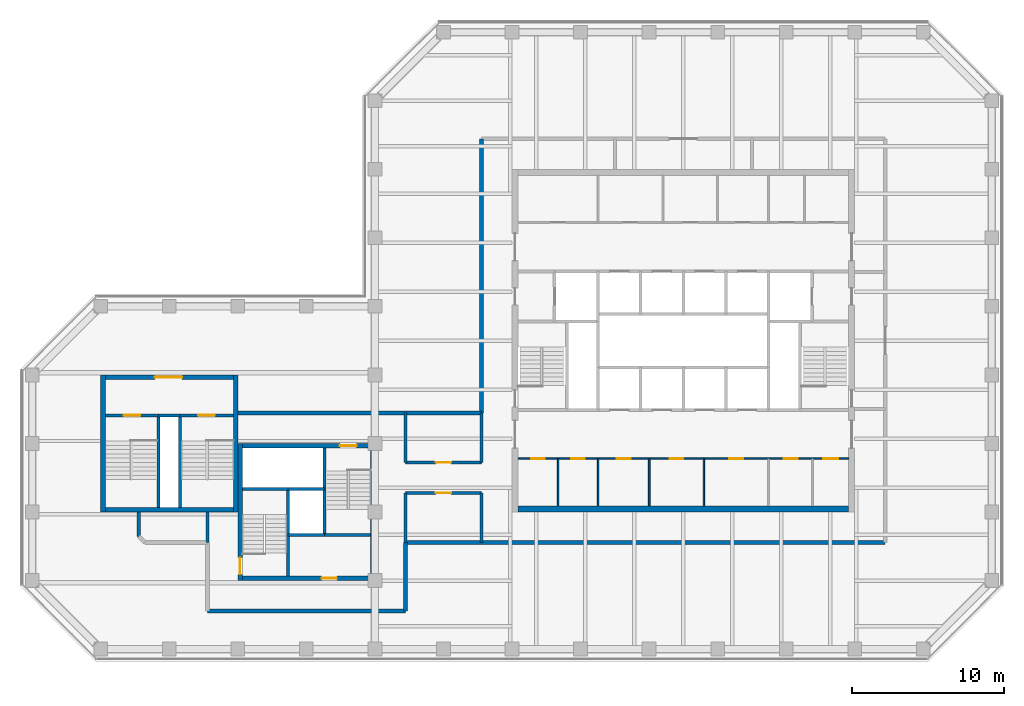
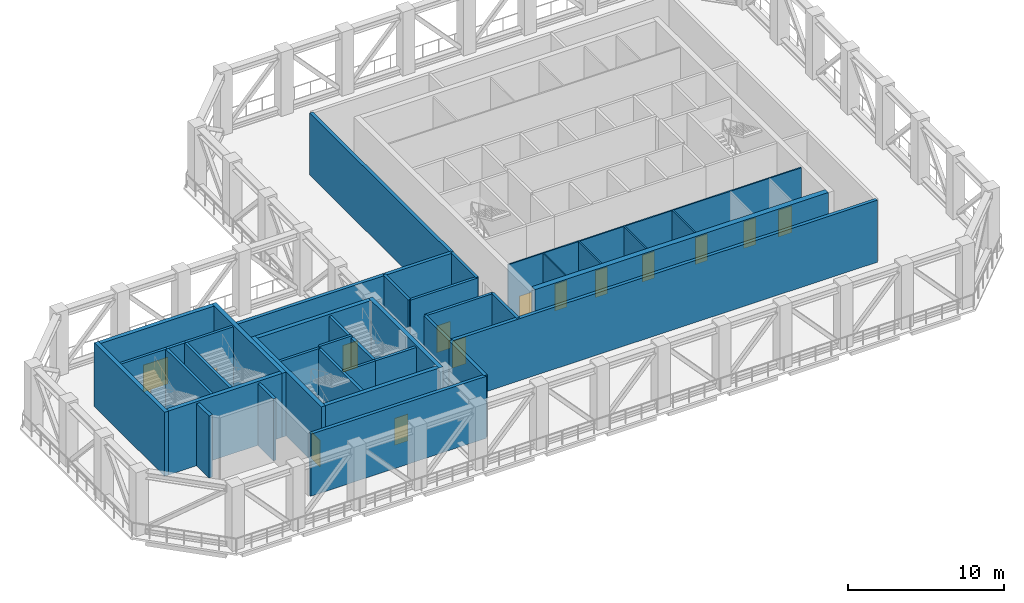
# One storey, part 4 of 13: 38 walls, 15 doors, 15 openings.
"""IFC4 building model written with IfcOpenShell, lengths in metres."""

from ifc_helpers import new_model, si_unit, direction, frame, frame_2d, origin, place, context, subcontext, project, spatial, rectangle, extrude, material, layer, layer_set, type_object, element, fill, save


model = new_model("IFC4")

# Units and contexts
model_context = context("Model", 3, precision=1e-05, world=origin(), true_north=direction((0.0, 1.0)))
body_context = subcontext(model_context, "Body", "Model", "MODEL_VIEW")
ifc_project = project(units=[si_unit("LENGTHUNIT", "METRE"), si_unit("AREAUNIT", "SQUARE_METRE"), si_unit("VOLUMEUNIT", "CUBIC_METRE"), si_unit("PLANEANGLEUNIT", "RADIAN"), si_unit("MASSUNIT", "GRAM", prefix="KILO")], contexts=[model_context])

# Site, building, storey
site_placement = place(None, origin())
site = spatial("IfcSite", under=ifc_project, at=site_placement, CompositionType="ELEMENT")
building_placement = place(site_placement, origin())
building = spatial("IfcBuilding", under=site, at=building_placement, Name="Quoin Convention Tower", CompositionType="ELEMENT")
storey_placement = place(building_placement, frame((0.0, 0.0, 206.89990234375)))
storey = spatial("IfcBuildingStorey", under=building, at=storey_placement, Name="L54", CompositionType="ELEMENT", Elevation=206.89990234375)

# Wall, openings, doors
ifc_material_1 = material(Name="Plasterboard")
ifc_layer_1 = layer(ifc_material_1, 0.012451171875, Name="Finish")
ifc_material_2 = material(Name="Steel stud framing", Category="steel")
ifc_layer_2 = layer(ifc_material_2, 0.074951171875, Name="Structure")
ifc_layer_3 = layer(ifc_material_1, 0.012451171875, Name="Finish")
ifc_layer_set_1 = layer_set([ifc_layer_1, ifc_layer_2, ifc_layer_3], Name="Steel stud framing")
wall_type_1 = type_object("IfcWallType", Name="Core partition wall", PredefinedType="PARTITIONING", material=ifc_layer_set_1)
wall_1_placement = place(storey_placement, frame((45.39990234375, 53.0, 0.0), z_axis=(0.0, 0.0, 1.0), x_axis=(1.0, 0.0, 0.0)))
wall_1 = element("IfcWall", 1, at=wall_1_placement, inside=storey, type_object=wall_type_1, Name="cr-C1-L54-h3500_400", PredefinedType="PARTITIONING", context=body_context, shape_type="SweptSolid", body=[
    extrude(rectangle(XDim=21.7001953125, YDim=0.10009765625, at=frame_2d((10.85009765625, 0.0))), origin(), (0.0, 0.0, 1.0), 4.85009765625),
])
opening_1_placement = place(wall_1_placement, frame((20.018798828125, 0.0, 0.0)))
opening_1 = element("IfcOpeningElement", 2, at=opening_1_placement, cuts=wall_1, Name="Opening DCV0-46", PredefinedType="OPENING", context=body_context, shape_type="SweptSolid", body=[
    extrude(rectangle(XDim=1.0, YDim=2.10009765625, at=frame_2d((0.5, 1.050048828125))), frame((0.0, 0.06005859375, 0.0), z_axis=(0.0, -1.0, 0.0), x_axis=(1.0, 0.0, 0.0)), (0.0, 0.0, 1.0), 0.1201171875),
])
opening_2_placement = place(wall_1_placement, frame((17.44384765625, 0.0, 0.0)))
opening_2 = element("IfcOpeningElement", 3, at=opening_2_placement, cuts=wall_1, Name="Opening DCV0-45", PredefinedType="OPENING", context=body_context, shape_type="SweptSolid", body=[
    extrude(rectangle(XDim=0.89990234375, YDim=2.10009765625, at=frame_2d((0.449951171875, 1.050048828125))), frame((0.0, 0.06005859375, 0.0), z_axis=(0.0, -1.0, 0.0), x_axis=(1.0, 0.0, 0.0)), (0.0, 0.0, 1.0), 0.1201171875),
])
opening_3_placement = place(wall_1_placement, frame((0.862548828125, 0.0, 0.0)))
opening_3 = element("IfcOpeningElement", 4, at=opening_3_placement, cuts=wall_1, Name="Opening DCV0-38", PredefinedType="OPENING", context=body_context, shape_type="SweptSolid", body=[
    extrude(rectangle(XDim=0.89990234375, YDim=2.10009765625, at=frame_2d((0.449951171875, 1.050048828125))), frame((0.0, 0.06005859375, 0.0), z_axis=(0.0, -1.0, 0.0), x_axis=(1.0, 0.0, 0.0)), (0.0, 0.0, 1.0), 0.1201171875),
])
opening_4_placement = place(wall_1_placement, frame((3.487548828125, 0.0, 0.0)))
opening_4 = element("IfcOpeningElement", 5, at=opening_4_placement, cuts=wall_1, Name="Opening DCV0-39", PredefinedType="OPENING", context=body_context, shape_type="SweptSolid", body=[
    extrude(rectangle(XDim=0.89990234375, YDim=2.10009765625, at=frame_2d((0.449951171875, 1.050048828125))), frame((0.0, 0.06005859375, 0.0), z_axis=(0.0, -1.0, 0.0), x_axis=(1.0, 0.0, 0.0)), (0.0, 0.0, 1.0), 0.1201171875),
])
opening_5_placement = place(wall_1_placement, frame((6.47998046875, 0.0, 0.0)))
opening_5 = element("IfcOpeningElement", 6, at=opening_5_placement, cuts=wall_1, Name="Opening DCV0-40", PredefinedType="OPENING", context=body_context, shape_type="SweptSolid", body=[
    extrude(rectangle(XDim=0.89990234375, YDim=2.10009765625, at=frame_2d((0.449951171875, 1.050048828125))), frame((0.0, 0.06005859375, 0.0), z_axis=(0.0, -1.0, 0.0), x_axis=(1.0, 0.0, 0.0)), (0.0, 0.0, 1.0), 0.1201171875),
])
opening_6_placement = place(wall_1_placement, frame((9.951904296875, 0.0, 0.0)))
opening_6 = element("IfcOpeningElement", 7, at=opening_6_placement, cuts=wall_1, Name="Opening DCV0-42", PredefinedType="OPENING", context=body_context, shape_type="SweptSolid", body=[
    extrude(rectangle(XDim=0.89990234375, YDim=2.10009765625, at=frame_2d((0.449951171875, 1.050048828125))), frame((0.0, 0.06005859375, 0.0), z_axis=(0.0, -1.0, 0.0), x_axis=(1.0, 0.0, 0.0)), (0.0, 0.0, 1.0), 0.1201171875),
])
opening_7_placement = place(wall_1_placement, frame((13.8720703125, 0.0, 0.0)))
opening_7 = element("IfcOpeningElement", 8, at=opening_7_placement, cuts=wall_1, Name="Opening DCV0-44", PredefinedType="OPENING", context=body_context, shape_type="SweptSolid", body=[
    extrude(rectangle(XDim=0.89990234375, YDim=2.10009765625, at=frame_2d((0.449951171875, 1.050048828125))), frame((0.0, 0.06005859375, 0.0), z_axis=(0.0, -1.0, 0.0), x_axis=(1.0, 0.0, 0.0)), (0.0, 0.0, 1.0), 0.1201171875),
])
ifc_material_3 = material(Name="Steel door leaf", Category="steel")
door_type_1 = type_object("IfcDoorType", Name="Core room door 1000 x 2100", OperationType="SINGLE_SWING_LEFT", PredefinedType="DOOR", material=ifc_material_3)
door_1_placement = place(opening_1_placement, frame((1.0, 0.0, 0.0), z_axis=(0.0, 0.0, 1.0), x_axis=(-1.0, 0.0, 0.0)))
door_1 = element("IfcDoor", 9, at=door_1_placement, inside=storey, type_object=door_type_1, Name="cd-C1-L54-CSE0-lobA-CD5410", OperationType="SINGLE_SWING_LEFT", OverallHeight=2.10009765625, OverallWidth=1.0, PredefinedType="DOOR", context=body_context, shape_type="SweptSolid", body=[
    extrude(rectangle(XDim=1.0, YDim=2.10009765625, at=frame_2d((0.5, 1.050048828125))), frame((0.0, 0.02490234375, 0.0), z_axis=(0.0, -1.0, 0.0), x_axis=(1.0, 0.0, 0.0)), (0.0, 0.0, 1.0), 0.050048828125),
])
fill(opening_1, door_1)
door_type_2 = type_object("IfcDoorType", Name="Core room door 900 x 2100", OperationType="SINGLE_SWING_LEFT", PredefinedType="DOOR", material=ifc_material_3)
door_2_placement = place(opening_2_placement, frame((0.89990234375, 0.0, 0.0), z_axis=(0.0, 0.0, 1.0), x_axis=(-1.0, 0.0, 0.0)))
door_2 = element("IfcDoor", 10, at=door_2_placement, inside=storey, type_object=door_type_2, Name="cd-C1-L54-CSE1-lobA-CD5411", OperationType="SINGLE_SWING_LEFT", OverallHeight=2.10009765625, OverallWidth=0.89990234375, PredefinedType="DOOR", context=body_context, shape_type="SweptSolid", body=[
    extrude(rectangle(XDim=0.89990234375, YDim=2.10009765625, at=frame_2d((0.449951171875, 1.050048828125))), frame((0.0, 0.02490234375, 0.0), z_axis=(0.0, -1.0, 0.0), x_axis=(1.0, 0.0, 0.0)), (0.0, 0.0, 1.0), 0.050048828125),
])
fill(opening_2, door_2)
door_3_placement = place(opening_3_placement, frame((0.89990234375, 0.0, 0.0), z_axis=(0.0, 0.0, 1.0), x_axis=(-1.0, 0.0, 0.0)))
door_3 = element("IfcDoor", 11, at=door_3_placement, inside=storey, type_object=door_type_2, Name="cd-C1-L54-CSW0-lobA-CD5412", OperationType="SINGLE_SWING_LEFT", OverallHeight=2.10009765625, OverallWidth=0.89990234375, PredefinedType="DOOR", context=body_context, shape_type="SweptSolid", body=[
    extrude(rectangle(XDim=0.89990234375, YDim=2.10009765625, at=frame_2d((0.449951171875, 1.050048828125))), frame((0.0, 0.02490234375, 0.0), z_axis=(0.0, -1.0, 0.0), x_axis=(1.0, 0.0, 0.0)), (0.0, 0.0, 1.0), 0.050048828125),
])
fill(opening_3, door_3)
door_4_placement = place(opening_4_placement, frame((0.89990234375, 0.0, 0.0), z_axis=(0.0, 0.0, 1.0), x_axis=(-1.0, 0.0, 0.0)))
door_4 = element("IfcDoor", 12, at=door_4_placement, inside=storey, type_object=door_type_2, Name="cd-C1-L54-CSW1-lobA-CD5413", OperationType="SINGLE_SWING_LEFT", OverallHeight=2.10009765625, OverallWidth=0.89990234375, PredefinedType="DOOR", context=body_context, shape_type="SweptSolid", body=[
    extrude(rectangle(XDim=0.89990234375, YDim=2.10009765625, at=frame_2d((0.449951171875, 1.050048828125))), frame((0.0, 0.02490234375, 0.0), z_axis=(0.0, -1.0, 0.0), x_axis=(1.0, 0.0, 0.0)), (0.0, 0.0, 1.0), 0.050048828125),
])
fill(opening_4, door_4)
door_5_placement = place(opening_5_placement, frame((0.89990234375, 0.0, 0.0), z_axis=(0.0, 0.0, 1.0), x_axis=(-1.0, 0.0, 0.0)))
door_5 = element("IfcDoor", 13, at=door_5_placement, inside=storey, type_object=door_type_2, Name="cd-C1-L54-F10-lobA-CD5414", OperationType="SINGLE_SWING_LEFT", OverallHeight=2.10009765625, OverallWidth=0.89990234375, PredefinedType="DOOR", context=body_context, shape_type="SweptSolid", body=[
    extrude(rectangle(XDim=0.89990234375, YDim=2.10009765625, at=frame_2d((0.449951171875, 1.050048828125))), frame((0.0, 0.02490234375, 0.0), z_axis=(0.0, -1.0, 0.0), x_axis=(1.0, 0.0, 0.0)), (0.0, 0.0, 1.0), 0.050048828125),
])
fill(opening_5, door_5)
door_6_placement = place(opening_6_placement, frame((0.89990234375, 0.0, 0.0), z_axis=(0.0, 0.0, 1.0), x_axis=(-1.0, 0.0, 0.0)))
door_6 = element("IfcDoor", 14, at=door_6_placement, inside=storey, type_object=door_type_2, Name="cd-C1-L54-F11-lobA-CD5415", OperationType="SINGLE_SWING_LEFT", OverallHeight=2.10009765625, OverallWidth=0.89990234375, PredefinedType="DOOR", context=body_context, shape_type="SweptSolid", body=[
    extrude(rectangle(XDim=0.89990234375, YDim=2.10009765625, at=frame_2d((0.449951171875, 1.050048828125))), frame((0.0, 0.02490234375, 0.0), z_axis=(0.0, -1.0, 0.0), x_axis=(1.0, 0.0, 0.0)), (0.0, 0.0, 1.0), 0.050048828125),
])
fill(opening_6, door_6)
door_7_placement = place(opening_7_placement, frame((0.89990234375, 0.0, 0.0), z_axis=(0.0, 0.0, 1.0), x_axis=(-1.0, 0.0, 0.0)))
door_7 = element("IfcDoor", 15, at=door_7_placement, inside=storey, type_object=door_type_2, Name="cd-C1-L54-F12-lobA-CD5416", OperationType="SINGLE_SWING_LEFT", OverallHeight=2.10009765625, OverallWidth=0.89990234375, PredefinedType="DOOR", context=body_context, shape_type="SweptSolid", body=[
    extrude(rectangle(XDim=0.89990234375, YDim=2.10009765625, at=frame_2d((0.449951171875, 1.050048828125))), frame((0.0, 0.02490234375, 0.0), z_axis=(0.0, -1.0, 0.0), x_axis=(1.0, 0.0, 0.0)), (0.0, 0.0, 1.0), 0.050048828125),
])
fill(opening_7, door_7)

# Walls
for number, where, z_axis, x_axis, name in (
    (16, (48.02490234375, 49.89990234375, 0.0), (0.0, 0.0, 1.0), (0.0, 1.0, 0.0), "cr-C1-L54-v3025_400"),
    (17, (50.64990234375, 49.89990234375, 0.0), (0.0, 0.0, 1.0), (0.0, 1.0, 0.0), "cr-C1-L54-v5650_400"),
    (18, (54.010009765625, 49.89990234375, 0.0), (0.0, 0.0, 1.0), (0.0, 1.0, 0.0), "cr-C1-L54-v9010_400"),
    (19, (57.593994140625, 49.89990234375, 0.0), (0.0, 0.0, 1.0), (0.0, 1.0, 0.0), "cr-C1-L54-v12594_400"),
):
    element("IfcWall", number, at=place(storey_placement, frame(where, z_axis=z_axis, x_axis=x_axis)), inside=storey, type_object=wall_type_1, Name=name, PredefinedType="PARTITIONING", context=body_context, shape_type="SweptSolid", body=[
        extrude(rectangle(XDim=3.10009765625, YDim=0.10009765625, at=frame_2d((1.550048828125, 0.0))), origin(), (0.0, 0.0, 1.0), 4.85009765625),
    ])
ifc_material_4 = material(Name="Concrete C50", Category="concrete")
ifc_layer_4 = layer(ifc_material_4, 0.199951171875)
ifc_layer_set_2 = layer_set([ifc_layer_4], Name="Concrete C50")
wall_type_2 = type_object("IfcWallType", Name="Core shaft wall", PredefinedType="SOLIDWALL", material=ifc_layer_set_2)
wall_2_placement = place(storey_placement, frame((30.300048828125, 48.0, 0.0), z_axis=(0.0, 0.0, 1.0), x_axis=(1.0, 0.0, 0.0)))
element("IfcWall", 20, at=wall_2_placement, inside=storey, type_object=wall_type_2, Name="cr-P2-L54-h3000_3300", PredefinedType="SOLIDWALL", context=body_context, shape_type="SweptSolid", body=[
    extrude(rectangle(XDim=2.39990234375, YDim=0.199951171875, at=frame_2d((1.199951171875, 0.0))), origin(), (0.0, 0.0, 1.0), 4.85009765625),
])
for number, where, z_axis, x_axis, name in (
    (21, (32.699951171875, 48.0, 0.0), (0.0, 0.0, 1.0), (1.0, 0.0, 0.0), "cr-P2-L54-h3000_5700"),
    (22, (27.300048828125, 51.0, 0.0), (0.0, 0.0, 1.0), (1.0, 0.0, 0.0), "cr-P2-L54-h6000_300"),
):
    element("IfcWall", number, at=place(storey_placement, frame(where, z_axis=z_axis, x_axis=x_axis)), inside=storey, type_object=wall_type_2, Name=name, PredefinedType="SOLIDWALL", context=body_context, shape_type="SweptSolid", body=[
        extrude(rectangle(XDim=3.0, YDim=0.199951171875, at=frame_2d((1.5, 0.0))), origin(), (0.0, 0.0, 1.0), 4.85009765625),
    ])
for number, where, z_axis, x_axis, name in (
    (23, (30.300048828125, 45.300048828125, 0.0), (0.0, 0.0, 1.0), (0.0, 1.0, 0.0), "cr-P2-L54-v3300_300"),
    (24, (32.699951171875, 48.0, 0.0), (0.0, 0.0, 1.0), (0.0, 1.0, 0.0), "cr-P2-L54-v5700_3000"),
):
    element("IfcWall", number, at=place(storey_placement, frame(where, z_axis=z_axis, x_axis=x_axis)), inside=storey, type_object=wall_type_2, Name=name, PredefinedType="SOLIDWALL", context=body_context, shape_type="SweptSolid", body=[
        extrude(rectangle(XDim=5.699951171875, YDim=0.199951171875, at=frame_2d((2.85009765625, 0.0))), origin(), (0.0, 0.0, 1.0), 4.85009765625),
    ])
wall_3_placement = place(storey_placement, frame((21.800048828125, 55.85009765625, 0.0), z_axis=(0.0, 0.0, 1.0), x_axis=(1.0, 0.0, 0.0)))
element("IfcWall", 25, at=wall_3_placement, inside=storey, type_object=wall_type_2, Name="cr-P6-L54-h6350_3800", PredefinedType="SOLIDWALL", context=body_context, shape_type="SweptSolid", body=[
    extrude(rectangle(XDim=1.39990234375, YDim=0.199951171875, at=frame_2d((0.699951171875, 0.0))), origin(), (0.0, 0.0, 1.0), 4.85009765625),
])

# Wall, opening, door
wall_4_placement = place(storey_placement, frame((18.300048828125, 55.85009765625, 0.0), z_axis=(0.0, 0.0, 1.0), x_axis=(1.0, 0.0, 0.0)))
wall_4 = element("IfcWall", 26, at=wall_4_placement, inside=storey, type_object=wall_type_2, Name="cr-P6-L54-h6350_300", PredefinedType="SOLIDWALL", context=body_context, shape_type="SweptSolid", body=[
    extrude(rectangle(XDim=3.5, YDim=0.199951171875, at=frame_2d((1.75, 0.0))), origin(), (0.0, 0.0, 1.0), 4.85009765625),
])
opening_8_placement = place(wall_4_placement, frame((1.199951171875, 0.0, 0.0)))
opening_8 = element("IfcOpeningElement", 27, at=opening_8_placement, cuts=wall_4, Name="Opening SD11", PredefinedType="OPENING", context=body_context, shape_type="SweptSolid", body=[
    extrude(rectangle(XDim=1.10009765625, YDim=2.10009765625, at=frame_2d((0.550048828125, 1.050048828125))), frame((0.0, 0.10986328125, 0.0), z_axis=(0.0, -1.0, 0.0), x_axis=(1.0, 0.0, 0.0)), (0.0, 0.0, 1.0), 0.219970703125),
])
door_type_3 = type_object("IfcDoorType", Name="Stair door 1100 x 2100", OperationType="SINGLE_SWING_RIGHT", PredefinedType="DOOR", material=ifc_material_3)
door_8_placement = place(opening_8_placement, origin())
door_8 = element("IfcDoor", 28, at=door_8_placement, inside=storey, type_object=door_type_3, Name="cd-P6-L54-SA-R2-SD11", OperationType="SINGLE_SWING_RIGHT", OverallHeight=2.10009765625, OverallWidth=1.10009765625, PredefinedType="DOOR", context=body_context, shape_type="SweptSolid", body=[
    extrude(rectangle(XDim=1.10009765625, YDim=2.10009765625, at=frame_2d((0.550048828125, 1.050048828125))), frame((0.0, 0.02490234375, 0.0), z_axis=(0.0, -1.0, 0.0), x_axis=(1.0, 0.0, 0.0)), (0.0, 0.0, 1.0), 0.050048828125),
])
fill(opening_8, door_8)

wall_5_placement = place(storey_placement, frame((23.199951171875, 55.85009765625, 0.0), z_axis=(0.0, 0.0, 1.0), x_axis=(1.0, 0.0, 0.0)))
wall_5 = element("IfcWall", 29, at=wall_5_placement, inside=storey, type_object=wall_type_2, Name="cr-P6-L54-h6350_5200", PredefinedType="SOLIDWALL", context=body_context, shape_type="SweptSolid", body=[
    extrude(rectangle(XDim=3.5, YDim=0.199951171875, at=frame_2d((1.75, 0.0))), origin(), (0.0, 0.0, 1.0), 4.85009765625),
])
opening_9_placement = place(wall_5_placement, frame((1.199951171875, 0.0, 0.0)))
opening_9 = element("IfcOpeningElement", 30, at=opening_9_placement, cuts=wall_5, Name="Opening SD12", PredefinedType="OPENING", context=body_context, shape_type="SweptSolid", body=[
    extrude(rectangle(XDim=1.10009765625, YDim=2.10009765625, at=frame_2d((0.550048828125, 1.050048828125))), frame((0.0, 0.10986328125, 0.0), z_axis=(0.0, -1.0, 0.0), x_axis=(1.0, 0.0, 0.0)), (0.0, 0.0, 1.0), 0.219970703125),
])
door_9_placement = place(opening_9_placement, origin())
door_9 = element("IfcDoor", 31, at=door_9_placement, inside=storey, type_object=door_type_3, Name="cd-P6-L54-SB-R2-SD12", OperationType="SINGLE_SWING_RIGHT", OverallHeight=2.10009765625, OverallWidth=1.10009765625, PredefinedType="DOOR", context=body_context, shape_type="SweptSolid", body=[
    extrude(rectangle(XDim=1.10009765625, YDim=2.10009765625, at=frame_2d((0.550048828125, 1.050048828125))), frame((0.0, 0.02490234375, 0.0), z_axis=(0.0, -1.0, 0.0), x_axis=(1.0, 0.0, 0.0)), (0.0, 0.0, 1.0), 0.050048828125),
])
fill(opening_9, door_9)

# Walls
for number, where, z_axis, x_axis, name in (
    (32, (21.800048828125, 49.800048828125, 0.0), (0.0, 0.0, 1.0), (0.0, 1.0, 0.0), "cr-P6-L54-v3800_300"),
    (33, (23.199951171875, 49.800048828125, 0.0), (0.0, 0.0, 1.0), (0.0, 1.0, 0.0), "cr-P6-L54-v5200_300"),
):
    element("IfcWall", number, at=place(storey_placement, frame(where, z_axis=z_axis, x_axis=x_axis)), inside=storey, type_object=wall_type_2, Name=name, PredefinedType="SOLIDWALL", context=body_context, shape_type="SweptSolid", body=[
        extrude(rectangle(XDim=6.050048828125, YDim=0.199951171875, at=frame_2d((3.02490234375, 0.0))), origin(), (0.0, 0.0, 1.0), 4.85009765625),
    ])
ifc_layer_5 = layer(ifc_material_4, 0.199951171875)
ifc_layer_set_3 = layer_set([ifc_layer_5], Name="Concrete C50")
wall_type_3 = type_object("IfcWallType", Name="Core shaft wall to the floor level over", PredefinedType="SOLIDWALL", material=ifc_layer_set_3)
wall_6_placement = place(storey_placement, frame((30.300048828125, 51.0, 0.0), z_axis=(0.0, 0.0, 1.0), x_axis=(1.0, 0.0, 0.0)))
element("IfcWall", 34, at=wall_6_placement, inside=storey, type_object=wall_type_3, Name="cr-P2-L54-h6000_3300", PredefinedType="SOLIDWALL", context=body_context, shape_type="SweptSolid", body=[
    extrude(rectangle(XDim=2.39990234375, YDim=0.199951171875, at=frame_2d((1.199951171875, 0.0))), origin(), (0.0, 0.0, 1.0), 5.0),
])

# Wall, opening, door
ifc_layer_6 = layer(ifc_material_4, 0.300048828125)
ifc_layer_set_4 = layer_set([ifc_layer_6], Name="Concrete C50")
wall_type_4 = type_object("IfcWallType", Name="RC CORE WALL 300 C50", PredefinedType="SHEAR", material=ifc_layer_set_4)
wall_7_placement = place(storey_placement, frame((27.300048828125, 45.14990234375, 0.0), z_axis=(0.0, 0.0, 1.0), x_axis=(1.0, 0.0, 0.0)))
wall_7 = element("IfcWall", 35, at=wall_7_placement, inside=storey, type_object=wall_type_4, Name="cwl-P2-L54-S", PredefinedType="SHEAR", context=body_context, shape_type="SweptSolid", body=[
    extrude(rectangle(XDim=8.39990234375, YDim=0.300048828125, at=frame_2d((4.199951171875, 0.0))), origin(), (0.0, 0.0, 1.0), 5.0),
])
opening_10_placement = place(wall_7_placement, frame((5.199951171875, 0.0, 0.0)))
opening_10 = element("IfcOpeningElement", 36, at=opening_10_placement, cuts=wall_7, Name="Opening DCV0-60", PredefinedType="OPENING", context=body_context, shape_type="SweptSolid", body=[
    extrude(rectangle(XDim=1.0, YDim=2.10009765625, at=frame_2d((0.5, 1.050048828125))), frame((0.0, 0.159912109375, 0.0), z_axis=(0.0, -1.0, 0.0), x_axis=(1.0, 0.0, 0.0)), (0.0, 0.0, 1.0), 0.320068359375),
])
door_type_4 = type_object("IfcDoorType", Name="Service door 1000 x 2100", OperationType="SINGLE_SWING_LEFT", PredefinedType="DOOR", material=ifc_material_3)
door_10_placement = place(opening_10_placement, origin())
door_10 = element("IfcDoor", 37, at=door_10_placement, inside=storey, type_object=door_type_4, Name="cd-P2-L54-R2-S", OperationType="SINGLE_SWING_LEFT", OverallHeight=2.10009765625, OverallWidth=1.0, PredefinedType="DOOR", context=body_context, shape_type="SweptSolid", body=[
    extrude(rectangle(XDim=1.0, YDim=2.10009765625, at=frame_2d((0.5, 1.050048828125))), frame((0.0, 0.02490234375, 0.0), z_axis=(0.0, -1.0, 0.0), x_axis=(1.0, 0.0, 0.0)), (0.0, 0.0, 1.0), 0.050048828125),
])
fill(opening_10, door_10)

wall_8_placement = place(storey_placement, frame((27.300048828125, 53.85009765625, 0.0), z_axis=(0.0, 0.0, 1.0), x_axis=(1.0, 0.0, 0.0)))
wall_8 = element("IfcWall", 38, at=wall_8_placement, inside=storey, type_object=wall_type_4, Name="cwl-P2-L54-N", PredefinedType="SHEAR", context=body_context, shape_type="SweptSolid", body=[
    extrude(rectangle(XDim=8.39990234375, YDim=0.300048828125, at=frame_2d((4.199951171875, 0.0))), origin(), (0.0, 0.0, 1.0), 5.0),
])
opening_11_placement = place(wall_8_placement, frame((6.39990234375, 0.0, 0.0)))
opening_11 = element("IfcOpeningElement", 39, at=opening_11_placement, cuts=wall_8, Name="Opening SD4", PredefinedType="OPENING", context=body_context, shape_type="SweptSolid", body=[
    extrude(rectangle(XDim=1.10009765625, YDim=2.10009765625, at=frame_2d((0.550048828125, 1.050048828125))), frame((0.0, 0.159912109375, 0.0), z_axis=(0.0, -1.0, 0.0), x_axis=(1.0, 0.0, 0.0)), (0.0, 0.0, 1.0), 0.320068359375),
])
door_11_placement = place(opening_11_placement, frame((1.10009765625, 0.0, 0.0), z_axis=(0.0, 0.0, 1.0), x_axis=(-1.0, 0.0, 0.0)))
door_11 = element("IfcDoor", 40, at=door_11_placement, inside=storey, type_object=door_type_3, Name="cd-P2-L54-SB-N", OperationType="SINGLE_SWING_LEFT", OverallHeight=2.10009765625, OverallWidth=1.10009765625, PredefinedType="DOOR", context=body_context, shape_type="SweptSolid", body=[
    extrude(rectangle(XDim=1.10009765625, YDim=2.10009765625, at=frame_2d((0.550048828125, 1.050048828125))), frame((0.0, 0.02490234375, 0.0), z_axis=(0.0, -1.0, 0.0), x_axis=(1.0, 0.0, 0.0)), (0.0, 0.0, 1.0), 0.050048828125),
])
fill(opening_11, door_11)

wall_9_placement = place(storey_placement, frame((27.14990234375, 45.0, 0.0), z_axis=(0.0, 0.0, 1.0), x_axis=(0.0, 1.0, 0.0)))
wall_9 = element("IfcWall", 41, at=wall_9_placement, inside=storey, type_object=wall_type_4, Name="cwl-P2-L54-W", PredefinedType="SHEAR", context=body_context, shape_type="SweptSolid", body=[
    extrude(rectangle(XDim=9.0, YDim=0.300048828125, at=frame_2d((4.5, 0.0))), origin(), (0.0, 0.0, 1.0), 5.0),
])
opening_12_placement = place(wall_9_placement, frame((0.39990234375, 0.0, 0.0)))
opening_12 = element("IfcOpeningElement", 42, at=opening_12_placement, cuts=wall_9, Name="Opening SD3", PredefinedType="OPENING", context=body_context, shape_type="SweptSolid", body=[
    extrude(rectangle(XDim=1.10009765625, YDim=2.10009765625, at=frame_2d((0.550048828125, 1.050048828125))), frame((0.0, 0.159912109375, 0.0), z_axis=(0.0, -1.0, 0.0), x_axis=(1.0, 0.0, 0.0)), (0.0, 0.0, 1.0), 0.320068359375),
])
door_12_placement = place(opening_12_placement, frame((1.10009765625, 0.0, 0.0), z_axis=(0.0, 0.0, 1.0), x_axis=(-1.0, 0.0, 0.0)))
door_12 = element("IfcDoor", 43, at=door_12_placement, inside=storey, type_object=door_type_3, Name="cd-P2-L54-SA-W", OperationType="SINGLE_SWING_RIGHT", OverallHeight=2.10009765625, OverallWidth=1.10009765625, PredefinedType="DOOR", context=body_context, shape_type="SweptSolid", body=[
    extrude(rectangle(XDim=1.10009765625, YDim=2.10009765625, at=frame_2d((0.550048828125, 1.050048828125))), frame((0.0, 0.02490234375, 0.0), z_axis=(0.0, -1.0, 0.0), x_axis=(1.0, 0.0, 0.0)), (0.0, 0.0, 1.0), 0.050048828125),
])
fill(opening_12, door_12)

# Walls
wall_10_placement = place(storey_placement, frame((35.85009765625, 45.0, 0.0), z_axis=(0.0, 0.0, 1.0), x_axis=(0.0, 1.0, 0.0)))
element("IfcWall", 44, at=wall_10_placement, inside=storey, type_object=wall_type_4, Name="cwl-P2-L54-E", PredefinedType="SHEAR", context=body_context, shape_type="SweptSolid", body=[
    extrude(rectangle(XDim=9.0, YDim=0.300048828125, at=frame_2d((4.5, 0.0))), origin(), (0.0, 0.0, 1.0), 5.0),
])
wall_11_placement = place(storey_placement, frame((18.300048828125, 49.64990234375, 0.0), z_axis=(0.0, 0.0, 1.0), x_axis=(1.0, 0.0, 0.0)))
element("IfcWall", 45, at=wall_11_placement, inside=storey, type_object=wall_type_4, Name="cwl-P6-L54-S", PredefinedType="SHEAR", context=body_context, shape_type="SweptSolid", body=[
    extrude(rectangle(XDim=8.39990234375, YDim=0.300048828125, at=frame_2d((4.199951171875, 0.0))), origin(), (0.0, 0.0, 1.0), 5.0),
])

# Wall, opening, door
wall_12_placement = place(storey_placement, frame((18.300048828125, 58.35009765625, 0.0), z_axis=(0.0, 0.0, 1.0), x_axis=(1.0, 0.0, 0.0)))
wall_12 = element("IfcWall", 46, at=wall_12_placement, inside=storey, type_object=wall_type_4, Name="cwl-P6-L54-N", PredefinedType="SHEAR", context=body_context, shape_type="SweptSolid", body=[
    extrude(rectangle(XDim=8.39990234375, YDim=0.300048828125, at=frame_2d((4.199951171875, 0.0))), origin(), (0.0, 0.0, 1.0), 5.0),
])
opening_13_placement = place(wall_12_placement, frame((3.25, 0.0, 0.0)))
opening_13 = element("IfcOpeningElement", 47, at=opening_13_placement, cuts=wall_12, Name="Opening DCV0-65", PredefinedType="OPENING", context=body_context, shape_type="SweptSolid", body=[
    extrude(rectangle(XDim=1.800048828125, YDim=2.10009765625, at=frame_2d((0.89990234375, 1.050048828125))), frame((0.0, 0.159912109375, 0.0), z_axis=(0.0, -1.0, 0.0), x_axis=(1.0, 0.0, 0.0)), (0.0, 0.0, 1.0), 0.320068359375),
])
door_type_5 = type_object("IfcDoorType", Name="Goods lobby door 1800 x 2100", OperationType="SINGLE_SWING_LEFT", PredefinedType="DOOR", material=ifc_material_3)
door_13_placement = place(opening_13_placement, frame((1.800048828125, 0.0, 0.0), z_axis=(0.0, 0.0, 1.0), x_axis=(-1.0, 0.0, 0.0)))
door_13 = element("IfcDoor", 48, at=door_13_placement, inside=storey, type_object=door_type_5, Name="cd-P6-L54-R2-N", OperationType="SINGLE_SWING_RIGHT", OverallHeight=2.10009765625, OverallWidth=1.800048828125, PredefinedType="DOOR", context=body_context, shape_type="SweptSolid", body=[
    extrude(rectangle(XDim=1.800048828125, YDim=2.10009765625, at=frame_2d((0.89990234375, 1.050048828125))), frame((0.0, 0.02490234375, 0.0), z_axis=(0.0, -1.0, 0.0), x_axis=(1.0, 0.0, 0.0)), (0.0, 0.0, 1.0), 0.050048828125),
])
fill(opening_13, door_13)

# Walls
for number, where, z_axis, x_axis, name in (
    (49, (18.14990234375, 49.5, 0.0), (0.0, 0.0, 1.0), (0.0, 1.0, 0.0), "cwl-P6-L54-W"),
    (50, (26.85009765625, 49.5, 0.0), (0.0, 0.0, 1.0), (0.0, 1.0, 0.0), "cwl-P6-L54-E"),
):
    element("IfcWall", number, at=place(storey_placement, frame(where, z_axis=z_axis, x_axis=x_axis)), inside=storey, type_object=wall_type_4, Name=name, PredefinedType="SHEAR", context=body_context, shape_type="SweptSolid", body=[
        extrude(rectangle(XDim=9.0, YDim=0.300048828125, at=frame_2d((4.5, 0.0))), origin(), (0.0, 0.0, 1.0), 5.0),
    ])
ifc_layer_7 = layer(ifc_material_4, 0.39990234375)
ifc_layer_set_5 = layer_set([ifc_layer_7], Name="Concrete C50")
wall_type_5 = type_object("IfcWallType", Name="RC CORE WALL 400 C50", PredefinedType="SHEAR", material=ifc_layer_set_5)
wall_13_placement = place(storey_placement, frame((45.39990234375, 49.699951171875, 0.0), z_axis=(0.0, 0.0, 1.0), x_axis=(1.0, 0.0, 0.0)))
element("IfcWall", 51, at=wall_13_placement, inside=storey, type_object=wall_type_5, Name="cwl-C1-L54-S", PredefinedType="SHEAR", context=body_context, shape_type="SweptSolid", body=[
    extrude(rectangle(XDim=21.7001953125, YDim=0.39990234375, at=frame_2d((10.85009765625, 0.0))), origin(), (0.0, 0.0, 1.0), 5.0),
])
ifc_layer_8 = layer(ifc_material_1, 0.012451171875, Name="Finish")
ifc_layer_9 = layer(ifc_material_2, 0.175048828125, Name="Structure")
ifc_layer_10 = layer(ifc_material_1, 0.012451171875, Name="Finish")
ifc_layer_set_6 = layer_set([ifc_layer_8, ifc_layer_9, ifc_layer_10], Name="Steel stud framing")
wall_type_6 = type_object("IfcWallType", Name="plant room wall", PredefinedType="PARTITIONING", material=ifc_layer_set_6)
wall_14_placement = place(storey_placement, frame((25.0, 47.5, 0.0), z_axis=(0.0, 0.0, 1.0), x_axis=(0.0, 1.0, 0.0)))
element("IfcWall", 52, at=wall_14_placement, inside=storey, type_object=wall_type_6, Name="pw-L54-013", PredefinedType="PARTITIONING", context=body_context, shape_type="SweptSolid", body=[
    extrude(rectangle(XDim=2.0, YDim=0.199951171875, at=frame_2d((1.0, 0.0))), origin(), (0.0, 0.0, 1.0), 4.85009765625),
])
for number, where, z_axis, x_axis, name in (
    (53, (38.0, 47.5, 0.0), (0.0, 0.0, 1.0), (0.0, 1.0, 0.0), "pw-L54-014"),
    (54, (43.0, 47.5, 0.0), (0.0, 0.0, 1.0), (0.0, 1.0, 0.0), "pw-L54-015"),
):
    element("IfcWall", number, at=place(storey_placement, frame(where, z_axis=z_axis, x_axis=x_axis)), inside=storey, type_object=wall_type_6, Name=name, PredefinedType="PARTITIONING", context=body_context, shape_type="SweptSolid", body=[
        extrude(rectangle(XDim=3.25, YDim=0.199951171875, at=frame_2d((1.625, 0.0))), origin(), (0.0, 0.0, 1.0), 4.85009765625),
    ])

# Wall, opening, door
wall_15_placement = place(storey_placement, frame((38.0, 50.75, 0.0), z_axis=(0.0, 0.0, 1.0), x_axis=(1.0, 0.0, 0.0)))
wall_15 = element("IfcWall", 55, at=wall_15_placement, inside=storey, type_object=wall_type_6, Name="pw-L54-016", PredefinedType="PARTITIONING", context=body_context, shape_type="SweptSolid", body=[
    extrude(rectangle(XDim=5.0, YDim=0.199951171875, at=frame_2d((2.5, 0.0))), origin(), (0.0, 0.0, 1.0), 4.85009765625),
])
opening_14_placement = place(wall_15_placement, frame((2.0, 0.0, 0.0)))
opening_14 = element("IfcOpeningElement", 56, at=opening_14_placement, cuts=wall_15, Name="Opening DREFUGE-R3-03", PredefinedType="OPENING", context=body_context, shape_type="SweptSolid", body=[
    extrude(rectangle(XDim=1.0, YDim=2.10009765625, at=frame_2d((0.5, 1.050048828125))), frame((0.0, 0.10986328125, 0.0), z_axis=(0.0, -1.0, 0.0), x_axis=(1.0, 0.0, 0.0)), (0.0, 0.0, 1.0), 0.219970703125),
])
door_type_6 = type_object("IfcDoorType", Name="Plant room door", OperationType="SINGLE_SWING_LEFT", PredefinedType="DOOR", material=ifc_material_3)
door_14_placement = place(opening_14_placement, frame((1.0, 0.0, 0.0), z_axis=(0.0, 0.0, 1.0), x_axis=(-1.0, 0.0, 0.0)))
door_14 = element("IfcDoor", 57, at=door_14_placement, inside=storey, type_object=door_type_6, Name="dr-L54-003", OperationType="SINGLE_SWING_LEFT", OverallHeight=2.10009765625, OverallWidth=1.0, PredefinedType="DOOR", context=body_context, shape_type="SweptSolid", body=[
    extrude(rectangle(XDim=1.0, YDim=2.10009765625, at=frame_2d((0.5, 1.050048828125))), frame((0.0, 0.02490234375, 0.0), z_axis=(0.0, -1.0, 0.0), x_axis=(1.0, 0.0, 0.0)), (0.0, 0.0, 1.0), 0.050048828125),
])
fill(opening_14, door_14)

wall_16_placement = place(storey_placement, frame((38.0, 52.75, 0.0), z_axis=(0.0, 0.0, 1.0), x_axis=(1.0, 0.0, 0.0)))
wall_16 = element("IfcWall", 58, at=wall_16_placement, inside=storey, type_object=wall_type_6, Name="pw-L54-017", PredefinedType="PARTITIONING", context=body_context, shape_type="SweptSolid", body=[
    extrude(rectangle(XDim=5.0, YDim=0.199951171875, at=frame_2d((2.5, 0.0))), origin(), (0.0, 0.0, 1.0), 4.85009765625),
])
opening_15_placement = place(wall_16_placement, frame((2.0, 0.0, 0.0)))
opening_15 = element("IfcOpeningElement", 59, at=opening_15_placement, cuts=wall_16, Name="Opening DREFUGE-R3-04", PredefinedType="OPENING", context=body_context, shape_type="SweptSolid", body=[
    extrude(rectangle(XDim=1.0, YDim=2.10009765625, at=frame_2d((0.5, 1.050048828125))), frame((0.0, 0.10986328125, 0.0), z_axis=(0.0, -1.0, 0.0), x_axis=(1.0, 0.0, 0.0)), (0.0, 0.0, 1.0), 0.219970703125),
])
door_15_placement = place(opening_15_placement, origin())
door_15 = element("IfcDoor", 60, at=door_15_placement, inside=storey, type_object=door_type_6, Name="dr-L54-005", OperationType="SINGLE_SWING_RIGHT", OverallHeight=2.10009765625, OverallWidth=1.0, PredefinedType="DOOR", context=body_context, shape_type="SweptSolid", body=[
    extrude(rectangle(XDim=1.0, YDim=2.10009765625, at=frame_2d((0.5, 1.050048828125))), frame((0.0, 0.02490234375, 0.0), z_axis=(0.0, -1.0, 0.0), x_axis=(1.0, 0.0, 0.0)), (0.0, 0.0, 1.0), 0.050048828125),
])
fill(opening_15, door_15)

# Walls
for number, where, z_axis, x_axis, name in (
    (61, (38.0, 52.75, 0.0), (0.0, 0.0, 1.0), (0.0, 1.0, 0.0), "pw-L54-018"),
    (62, (43.0, 52.75, 0.0), (0.0, 0.0, 1.0), (0.0, 1.0, 0.0), "pw-L54-019"),
):
    element("IfcWall", number, at=place(storey_placement, frame(where, z_axis=z_axis, x_axis=x_axis)), inside=storey, type_object=wall_type_6, Name=name, PredefinedType="PARTITIONING", context=body_context, shape_type="SweptSolid", body=[
        extrude(rectangle(XDim=3.25, YDim=0.199951171875, at=frame_2d((1.625, 0.0))), origin(), (0.0, 0.0, 1.0), 4.85009765625),
    ])
ifc_layer_11 = layer(ifc_material_1, 0.012451171875, Name="Finish")
ifc_layer_12 = layer(ifc_material_2, 0.22509765625, Name="Structure")
ifc_layer_13 = layer(ifc_material_1, 0.012451171875, Name="Finish")
ifc_layer_set_7 = layer_set([ifc_layer_11, ifc_layer_12, ifc_layer_13], Name="Steel stud framing")
wall_type_7 = type_object("IfcWallType", Name="refuge enclosure wall", PredefinedType="PARTITIONING", material=ifc_layer_set_7)
wall_17_placement = place(storey_placement, frame((25.0, 43.0, 0.0), z_axis=(0.0, 0.0, 1.0), x_axis=(1.0, 0.0, 0.0)))
element("IfcWall", 63, at=wall_17_placement, inside=storey, type_object=wall_type_7, Name="pw-L54-001", PredefinedType="PARTITIONING", context=body_context, shape_type="SweptSolid", body=[
    extrude(rectangle(XDim=13.0, YDim=0.25, at=frame_2d((6.5, 0.0))), origin(), (0.0, 0.0, 1.0), 4.85009765625),
])
wall_18_placement = place(storey_placement, frame((38.0, 43.0, 0.0), z_axis=(0.0, 0.0, 1.0), x_axis=(0.0, 1.0, 0.0)))
element("IfcWall", 64, at=wall_18_placement, inside=storey, type_object=wall_type_7, Name="pw-L54-003", PredefinedType="PARTITIONING", context=body_context, shape_type="SweptSolid", body=[
    extrude(rectangle(XDim=4.5, YDim=0.25, at=frame_2d((2.25, 0.0))), origin(), (0.0, 0.0, 1.0), 4.85009765625),
])
wall_19_placement = place(storey_placement, frame((38.0, 47.5, 0.0), z_axis=(0.0, 0.0, 1.0), x_axis=(1.0, 0.0, 0.0)))
element("IfcWall", 65, at=wall_19_placement, inside=storey, type_object=wall_type_7, Name="pw-L54-005", PredefinedType="PARTITIONING", context=body_context, shape_type="SweptSolid", body=[
    extrude(rectangle(XDim=31.5, YDim=0.25, at=frame_2d((15.75, 0.0))), origin(), (0.0, 0.0, 1.0), 4.85009765625),
])
wall_20_placement = place(storey_placement, frame((20.5, 47.89892578125, 0.0), z_axis=(0.0, 0.0, 1.0), x_axis=(0.0, 1.0, 0.0)))
element("IfcWall", 66, at=wall_20_placement, inside=storey, type_object=wall_type_7, Name="pw-L54-008", PredefinedType="PARTITIONING", context=body_context, shape_type="SweptSolid", body=[
    extrude(rectangle(XDim=1.60107421875, YDim=0.25, at=frame_2d((0.800537109375, 0.0))), origin(), (0.0, 0.0, 1.0), 4.85009765625),
])
wall_21_placement = place(storey_placement, frame((27.0, 56.0, 0.0), z_axis=(0.0, 0.0, 1.0), x_axis=(1.0, 0.0, 0.0)))
element("IfcWall", 67, at=wall_21_placement, inside=storey, type_object=wall_type_7, Name="pw-L54-010", PredefinedType="PARTITIONING", context=body_context, shape_type="SweptSolid", body=[
    extrude(rectangle(XDim=16.0, YDim=0.25, at=frame_2d((8.0, 0.0))), origin(), (0.0, 0.0, 1.0), 4.85009765625),
])
wall_22_placement = place(storey_placement, frame((43.0, 56.0, 0.0), z_axis=(0.0, 0.0, 1.0), x_axis=(0.0, 1.0, 0.0)))
element("IfcWall", 68, at=wall_22_placement, inside=storey, type_object=wall_type_7, Name="pw-L54-011", PredefinedType="PARTITIONING", context=body_context, shape_type="SweptSolid", body=[
    extrude(rectangle(XDim=18.0, YDim=0.25, at=frame_2d((9.0, 0.0))), origin(), (0.0, 0.0, 1.0), 4.85009765625),
])

save(model, "model.ifc")
